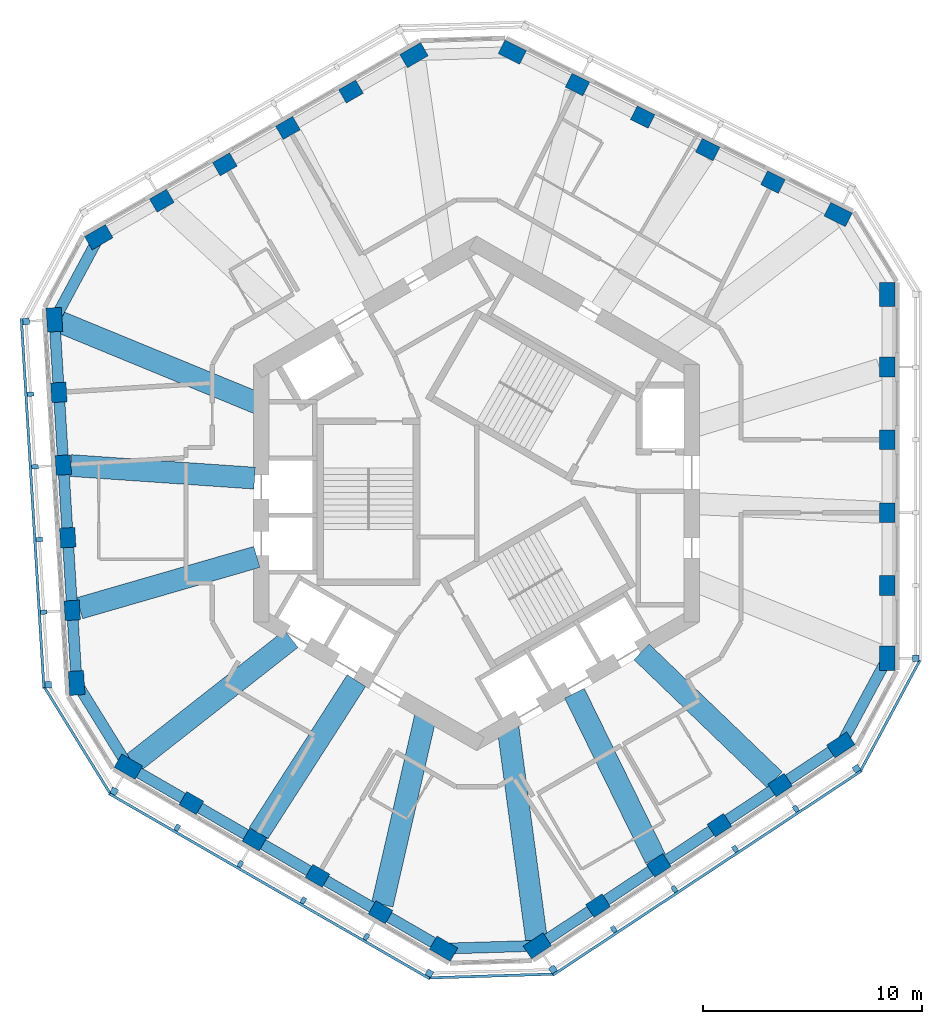
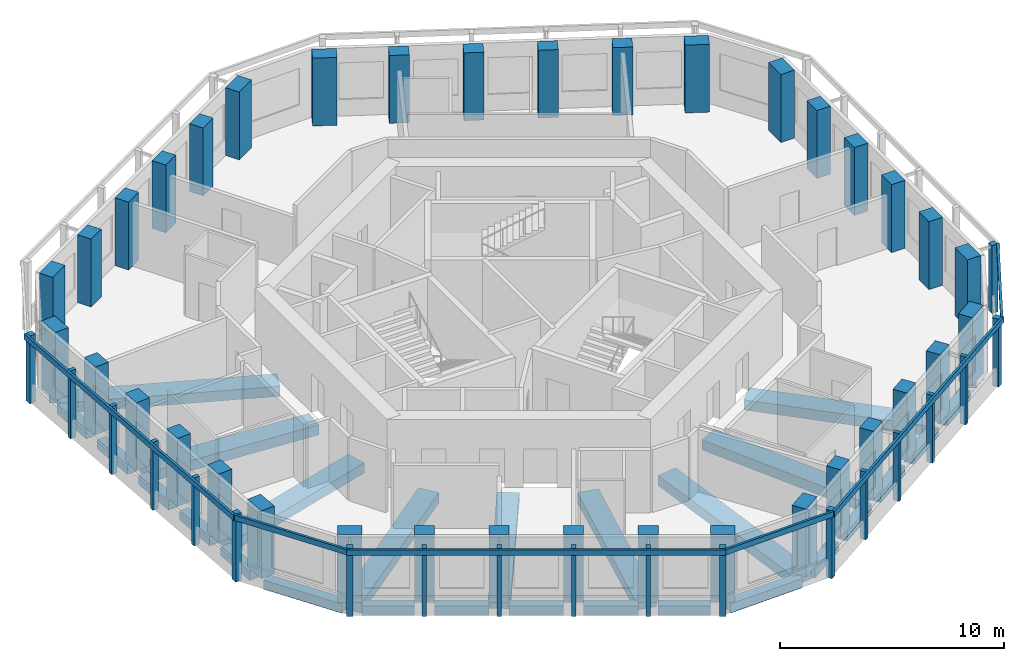
# One storey, part 1 of 10: 36 columns, 28 beams, 25 members, 7 elements without a shape of their own.
"""IFC4 building model written with IfcOpenShell, lengths in metres."""

from ifc_helpers import new_model, si_unit, direction, frame, origin, origin_2d, place, context, subcontext, project, spatial, rectangle, extrude, material, material_profile, profile_set, type_object, element, aggregate, save


model = new_model("IFC4")

# Units and contexts
model_context = context("Model", 3, precision=1e-05, world=origin(), true_north=direction((0.0, 1.0)))
body_context = subcontext(model_context, "Body", "Model", "MODEL_VIEW")
ifc_project = project(units=[si_unit("LENGTHUNIT", "METRE"), si_unit("AREAUNIT", "SQUARE_METRE"), si_unit("VOLUMEUNIT", "CUBIC_METRE"), si_unit("PLANEANGLEUNIT", "RADIAN"), si_unit("MASSUNIT", "GRAM", prefix="KILO")], contexts=[model_context])

# Site, building, storey
site_placement = place(None, origin())
site = spatial("IfcSite", under=ifc_project, at=site_placement, CompositionType="ELEMENT")
building_placement = place(site_placement, origin())
building = spatial("IfcBuilding", under=site, at=building_placement, Name="Vanh Sen Convention Tower", CompositionType="ELEMENT")
storey_placement = place(building_placement, frame((0.0, 0.0, 263.5)))
storey = spatial("IfcBuildingStorey", under=building, at=storey_placement, Name="L65", CompositionType="ELEMENT", Elevation=263.5)

# Columns
ifc_material_1 = material(Name="Concrete C60/75", Category="concrete")
ifc_material_profile_1 = material_profile(ifc_material_1, rectangle(XDim=0.89990234375, YDim=0.699951171875, at=origin_2d()), Name="RC 900X700")
ifc_profile_set_1 = profile_set([ifc_material_profile_1], Name="Concrete C60/75")
column_type_1 = type_object("IfcColumnType", Name="Facade column 900 x 700 C60/75", PredefinedType="COLUMN", material=ifc_profile_set_1)
for number, where, z_axis, x_axis, name in (
    (1, (18.800048828125, -4.215087890625, 0.0), (0.0, 0.0, 1.0), (0.0, 1.0, 0.0), "Facade column 02 L65"),
    (2, (18.800048828125, -0.88330078125, 0.0), (0.0, 0.0, 1.0), (0.0, 1.0, 0.0), "Facade column 03 L65"),
    (3, (18.800048828125, 2.4482421875, 0.0), (0.0, 0.0, 1.0), (0.0, 1.0, 0.0), "Facade column 04 L65"),
    (4, (18.800048828125, 5.77978515625, 0.0), (0.0, 0.0, 1.0), (0.0, 1.0, 0.0), "Facade column 05 L65"),
    (5, (13.56103515625, 14.245849609375, 0.0), (0.0, 0.0, 1.0), (-0.894934361602, 0.44619781311, 0.0), "Facade column 08 L65"),
    (6, (10.57958984375, 15.732421875, 0.0), (0.0, 0.0, 1.0), (-0.894934361602, 0.44619781311, 0.0), "Facade column 09 L65"),
    (7, (7.597900390625, 17.218994140625, 0.0), (0.0, 0.0, 1.0), (-0.894934361602, 0.44619781311, 0.0), "Facade column 10 L65"),
    (8, (4.6162109375, 18.70556640625, 0.0), (0.0, 0.0, 1.0), (-0.894934361602, 0.44619781311, 0.0), "Facade column 11 L65"),
    (9, (-5.74951171875, 18.388916015625, 0.0), (0.0, 0.0, 1.0), (-0.866025403784, -0.5, 0.0), "Facade column 14 L65"),
    (10, (-8.635009765625, 16.722900390625, 0.0), (0.0, 0.0, 1.0), (-0.866025403784, -0.5, 0.0), "Facade column 15 L65"),
    (11, (-11.520263671875, 15.05712890625, 0.0), (0.0, 0.0, 1.0), (-0.866025403784, -0.5, 0.0), "Facade column 16 L65"),
    (12, (-14.405517578125, 13.391357421875, 0.0), (0.0, 0.0, 1.0), (-0.866025403784, -0.5, 0.0), "Facade column 17 L65"),
    (13, (-19.117919921875, 4.621337890625, 0.0), (0.0, 0.0, 1.0), (0.061048539535, -0.998134798422, 0.0), "Facade column 20 L65"),
    (14, (-18.914306640625, 1.2958984375, 0.0), (0.0, 0.0, 1.0), (0.061048539535, -0.998134798422, 0.0), "Facade column 21 L65"),
    (15, (-18.7109375, -2.029541015625, 0.0), (0.0, 0.0, 1.0), (0.061048539535, -0.998134798422, 0.0), "Facade column 22 L65"),
    (16, (-18.507568359375, -5.35498046875, 0.0), (0.0, 0.0, 1.0), (0.061048539535, -0.998134798422, 0.0), "Facade column 23 L65"),
    (17, (-13.05029296875, -14.173583984375, 0.0), (0.0, 0.0, 1.0), (0.866025403784, -0.5, 0.0), "Facade column 26 L65"),
    (18, (-10.1650390625, -15.839599609375, 0.0), (0.0, 0.0, 1.0), (0.866025403784, -0.5, 0.0), "Facade column 27 L65"),
    (19, (-7.27978515625, -17.50537109375, 0.0), (0.0, 0.0, 1.0), (0.866025403784, -0.5, 0.0), "Facade column 28 L65"),
    (20, (-4.39453125, -19.171142578125, 0.0), (0.0, 0.0, 1.0), (0.866025403784, -0.5, 0.0), "Facade column 29 L65"),
    (21, (5.556640625, -18.8671875, 0.0), (0.0, 0.0, 1.0), (0.833885822067, 0.551936985312, 0.0), "Facade column 32 L65"),
    (22, (8.3349609375, -17.0283203125, 0.0), (0.0, 0.0, 1.0), (0.833885822067, 0.551936985312, 0.0), "Facade column 33 L65"),
    (23, (11.113037109375, -15.189453125, 0.0), (0.0, 0.0, 1.0), (0.833885822067, 0.551936985312, 0.0), "Facade column 34 L65"),
    (24, (13.891357421875, -13.3505859375, 0.0), (0.0, 0.0, 1.0), (0.833885822067, 0.551936985312, 0.0), "Facade column 35 L65"),
):
    element("IfcColumn", number, at=place(storey_placement, frame(where, z_axis=z_axis, x_axis=x_axis)), inside=storey, type_object=column_type_1, Name=name, PredefinedType="COLUMN", context=body_context, shape_type="SweptSolid", body=[
        extrude(rectangle(XDim=0.89990234375, YDim=0.699951171875, at=origin_2d()), origin(), (0.0, 0.0, 1.0), 3.699951171875),
    ])
ifc_material_profile_2 = material_profile(ifc_material_1, rectangle(XDim=1.10009765625, YDim=0.699951171875, at=origin_2d()), Name="RC 1100X700")
ifc_profile_set_2 = profile_set([ifc_material_profile_2], Name="Concrete C60/75")
column_type_2 = type_object("IfcColumnType", Name="Facade corner column 1100 x 700 C60/75", PredefinedType="COLUMN", material=ifc_profile_set_2)
for number, where, z_axis, x_axis, name in (
    (25, (18.800048828125, -7.546630859375, 0.0), (0.0, 0.0, 1.0), (0.0, 1.0, 0.0), "Facade column 01 L65"),
    (26, (18.800048828125, 9.111572265625, 0.0), (0.0, 0.0, 1.0), (0.0, 1.0, 0.0), "Facade column 06 L65"),
    (27, (16.542724609375, 12.75927734375, 0.0), (0.0, 0.0, 1.0), (-0.894934361602, 0.44619781311, 0.0), "Facade column 07 L65"),
    (28, (1.634765625, 20.192138671875, 0.0), (0.0, 0.0, 1.0), (-0.894934361602, 0.44619781311, 0.0), "Facade column 12 L65"),
    (29, (-2.8642578125, 20.0546875, 0.0), (0.0, 0.0, 1.0), (-0.866025403784, -0.5, 0.0), "Facade column 13 L65"),
    (30, (-17.290771484375, 11.7255859375, 0.0), (0.0, 0.0, 1.0), (-0.866025403784, -0.5, 0.0), "Facade column 18 L65"),
    (31, (-19.3212890625, 7.94677734375, 0.0), (0.0, 0.0, 1.0), (0.061048539535, -0.998134798422, 0.0), "Facade column 19 L65"),
    (32, (-18.30419921875, -8.680419921875, 0.0), (0.0, 0.0, 1.0), (0.061048539535, -0.998134798422, 0.0), "Facade column 24 L65"),
    (33, (-15.935791015625, -12.5078125, 0.0), (0.0, 0.0, 1.0), (0.866025403784, -0.5, 0.0), "Facade column 25 L65"),
    (34, (-1.50927734375, -20.8369140625, 0.0), (0.0, 0.0, 1.0), (0.866025403784, -0.5, 0.0), "Facade column 30 L65"),
    (35, (2.7783203125, -20.7060546875, 0.0), (0.0, 0.0, 1.0), (0.833885822067, 0.551936985312, 0.0), "Facade column 31 L65"),
    (36, (16.66943359375, -11.51171875, 0.0), (0.0, 0.0, 1.0), (0.833885822067, 0.551936985312, 0.0), "Facade column 36 L65"),
):
    element("IfcColumn", number, at=place(storey_placement, frame(where, z_axis=z_axis, x_axis=x_axis)), inside=storey, type_object=column_type_2, Name=name, PredefinedType="COLUMN", context=body_context, shape_type="SweptSolid", body=[
        extrude(rectangle(XDim=1.10009765625, YDim=0.699951171875, at=origin_2d()), origin(), (0.0, 0.0, 1.0), 3.699951171875),
    ])

# Curtain wall, member
ifc_material_2 = material(Name="Concrete C50/60", Category="concrete")
curtain_wall_type = type_object("IfcCurtainWallType", Name="Outer skin office zone", PredefinedType="NOTDEFINED", material=ifc_material_2)
curtain_wall_1_placement = place(storey_placement, origin())
curtain_wall_1 = element("IfcCurtainWall", 37, at=curtain_wall_1_placement, inside=storey, type_object=curtain_wall_type, Name="OUTER SKIN E L65", PredefinedType="NOTDEFINED")
ifc_material_profile_3 = material_profile(ifc_material_2, rectangle(XDim=0.300048828125, YDim=0.300048828125, at=origin_2d()), Name="Outer skin precast corner fin 300 x 300")
ifc_profile_set_3 = profile_set([ifc_material_profile_3], Name="Concrete C50/60")
member_type_1 = type_object("IfcMemberType", Name="Outer skin precast corner fin 300 x 300", PredefinedType="MULLION", material=ifc_profile_set_3)
member_1_placement = place(storey_placement, frame((20.10009765625, -7.546630859375, 0.0), z_axis=(0.0, 0.0, 1.0), x_axis=(0.0, 1.0, 0.0)))
member_1 = element("IfcMember", 38, at=member_1_placement, type_object=member_type_1, Name="OUTER SKIN CORNER FIN 1 E L65", PredefinedType="MULLION", context=body_context, shape_type="SweptSolid", body=[
    extrude(rectangle(XDim=0.300048828125, YDim=0.300048828125, at=origin_2d()), origin(), (0.0, 0.0, 1.0), 3.699951171875),
])
aggregate(curtain_wall_1, [member_1])

# Curtain wall, members
curtain_wall_2_placement = place(storey_placement, origin())
curtain_wall_2 = element("IfcCurtainWall", 39, at=curtain_wall_2_placement, inside=storey, type_object=curtain_wall_type, Name="OUTER SKIN W L65", PredefinedType="NOTDEFINED")
member_2_placement = place(storey_placement, frame((-20.618896484375, 7.867431640625, 0.0), z_axis=(0.0, 0.0, 1.0), x_axis=(0.061048539535, -0.998134798422, 0.0)))
member_2 = element("IfcMember", 40, at=member_2_placement, type_object=member_type_1, Name="OUTER SKIN CORNER FIN 1 W L65", PredefinedType="MULLION", context=body_context, shape_type="SweptSolid", body=[
    extrude(rectangle(XDim=0.300048828125, YDim=0.300048828125, at=origin_2d()), origin(), (0.0, 0.0, 1.0), 3.699951171875),
])
member_3_placement = place(storey_placement, frame((-19.601806640625, -8.759765625, 0.0), z_axis=(0.0, 0.0, 1.0), x_axis=(0.061048539535, -0.998134798422, 0.0)))
member_3 = element("IfcMember", 41, at=member_3_placement, type_object=member_type_1, Name="OUTER SKIN CORNER FIN 6 W L65", PredefinedType="MULLION", context=body_context, shape_type="SweptSolid", body=[
    extrude(rectangle(XDim=0.300048828125, YDim=0.300048828125, at=origin_2d()), origin(), (0.0, 0.0, 1.0), 3.699951171875),
])

curtain_wall_3_placement = place(storey_placement, origin())
curtain_wall_3 = element("IfcCurtainWall", 42, at=curtain_wall_3_placement, inside=storey, type_object=curtain_wall_type, Name="OUTER SKIN SW L65", PredefinedType="NOTDEFINED")
member_4_placement = place(storey_placement, frame((-16.585693359375, -13.6337890625, 0.0), z_axis=(0.0, 0.0, 1.0), x_axis=(0.866025403784, -0.5, 0.0)))
member_4 = element("IfcMember", 43, at=member_4_placement, type_object=member_type_1, Name="OUTER SKIN CORNER FIN 1 SW L65", PredefinedType="MULLION", context=body_context, shape_type="SweptSolid", body=[
    extrude(rectangle(XDim=0.300048828125, YDim=0.300048828125, at=origin_2d()), origin(), (0.0, 0.0, 1.0), 3.699951171875),
])
member_5_placement = place(storey_placement, frame((-2.1591796875, -21.962890625, 0.0), z_axis=(0.0, 0.0, 1.0), x_axis=(0.866025403784, -0.5, 0.0)))
member_5 = element("IfcMember", 44, at=member_5_placement, type_object=member_type_1, Name="OUTER SKIN CORNER FIN 6 SW L65", PredefinedType="MULLION", context=body_context, shape_type="SweptSolid", body=[
    extrude(rectangle(XDim=0.300048828125, YDim=0.300048828125, at=origin_2d()), origin(), (0.0, 0.0, 1.0), 3.699951171875),
])

curtain_wall_4_placement = place(storey_placement, origin())
curtain_wall_4 = element("IfcCurtainWall", 45, at=curtain_wall_4_placement, inside=storey, type_object=curtain_wall_type, Name="OUTER SKIN SE L65", PredefinedType="NOTDEFINED")
member_6_placement = place(storey_placement, frame((3.495849609375, -21.7900390625, 0.0), z_axis=(0.0, 0.0, 1.0), x_axis=(0.833885822067, 0.551936985312, 0.0)))
member_6 = element("IfcMember", 46, at=member_6_placement, type_object=member_type_1, Name="OUTER SKIN CORNER FIN 1 SE L65", PredefinedType="MULLION", context=body_context, shape_type="SweptSolid", body=[
    extrude(rectangle(XDim=0.300048828125, YDim=0.300048828125, at=origin_2d()), origin(), (0.0, 0.0, 1.0), 3.699951171875),
])
member_7_placement = place(storey_placement, frame((17.386962890625, -12.595703125, 0.0), z_axis=(0.0, 0.0, 1.0), x_axis=(0.833885822067, 0.551936985312, 0.0)))
member_7 = element("IfcMember", 47, at=member_7_placement, type_object=member_type_1, Name="OUTER SKIN CORNER FIN 6 SE L65", PredefinedType="MULLION", context=body_context, shape_type="SweptSolid", body=[
    extrude(rectangle(XDim=0.300048828125, YDim=0.300048828125, at=origin_2d()), origin(), (0.0, 0.0, 1.0), 3.699951171875),
])

# Member
ifc_material_profile_4 = material_profile(ifc_material_2, rectangle(XDim=0.199951171875, YDim=0.300048828125, at=origin_2d()), Name="Outer skin precast fin 200 x 300")
ifc_profile_set_4 = profile_set([ifc_material_profile_4], Name="Concrete C50/60")
member_type_2 = type_object("IfcMemberType", Name="Outer skin precast fin 200 x 300", PredefinedType="MULLION", material=ifc_profile_set_4)
member_8_placement = place(storey_placement, frame((-20.415283203125, 4.5419921875, 0.0), z_axis=(0.0, 0.0, 1.0), x_axis=(0.061048539535, -0.998134798422, 0.0)))
member_8 = element("IfcMember", 48, at=member_8_placement, type_object=member_type_2, Name="OUTER SKIN fin 2 W L65", PredefinedType="MULLION", context=body_context, shape_type="SweptSolid", body=[
    extrude(rectangle(XDim=0.199951171875, YDim=0.300048828125, at=origin_2d()), origin(), (0.0, 0.0, 1.0), 3.699951171875),
])

member_9_placement = place(storey_placement, frame((-20.2119140625, 1.216552734375, 0.0), z_axis=(0.0, 0.0, 1.0), x_axis=(0.061048539535, -0.998134798422, 0.0)))
member_9 = element("IfcMember", 49, at=member_9_placement, type_object=member_type_2, Name="OUTER SKIN fin 3 W L65", PredefinedType="MULLION", context=body_context, shape_type="SweptSolid", body=[
    extrude(rectangle(XDim=0.199951171875, YDim=0.300048828125, at=origin_2d()), origin(), (0.0, 0.0, 1.0), 3.699951171875),
])

member_10_placement = place(storey_placement, frame((-20.008544921875, -2.10888671875, 0.0), z_axis=(0.0, 0.0, 1.0), x_axis=(0.061048539535, -0.998134798422, 0.0)))
member_10 = element("IfcMember", 50, at=member_10_placement, type_object=member_type_2, Name="OUTER SKIN fin 4 W L65", PredefinedType="MULLION", context=body_context, shape_type="SweptSolid", body=[
    extrude(rectangle(XDim=0.199951171875, YDim=0.300048828125, at=origin_2d()), origin(), (0.0, 0.0, 1.0), 3.699951171875),
])

member_11_placement = place(storey_placement, frame((-19.80517578125, -5.434326171875, 0.0), z_axis=(0.0, 0.0, 1.0), x_axis=(0.061048539535, -0.998134798422, 0.0)))
member_11 = element("IfcMember", 51, at=member_11_placement, type_object=member_type_2, Name="OUTER SKIN fin 5 W L65", PredefinedType="MULLION", context=body_context, shape_type="SweptSolid", body=[
    extrude(rectangle(XDim=0.199951171875, YDim=0.300048828125, at=origin_2d()), origin(), (0.0, 0.0, 1.0), 3.699951171875),
])

member_12_placement = place(storey_placement, frame((-13.700439453125, -15.299560546875, 0.0), z_axis=(0.0, 0.0, 1.0), x_axis=(0.866025403784, -0.5, 0.0)))
member_12 = element("IfcMember", 52, at=member_12_placement, type_object=member_type_2, Name="OUTER SKIN fin 2 SW L65", PredefinedType="MULLION", context=body_context, shape_type="SweptSolid", body=[
    extrude(rectangle(XDim=0.199951171875, YDim=0.300048828125, at=origin_2d()), origin(), (0.0, 0.0, 1.0), 3.699951171875),
])

member_13_placement = place(storey_placement, frame((-10.815185546875, -16.96533203125, 0.0), z_axis=(0.0, 0.0, 1.0), x_axis=(0.866025403784, -0.5, 0.0)))
member_13 = element("IfcMember", 53, at=member_13_placement, type_object=member_type_2, Name="OUTER SKIN fin 3 SW L65", PredefinedType="MULLION", context=body_context, shape_type="SweptSolid", body=[
    extrude(rectangle(XDim=0.199951171875, YDim=0.300048828125, at=origin_2d()), origin(), (0.0, 0.0, 1.0), 3.699951171875),
])

member_14_placement = place(storey_placement, frame((-7.9296875, -18.631103515625, 0.0), z_axis=(0.0, 0.0, 1.0), x_axis=(0.866025403784, -0.5, 0.0)))
member_14 = element("IfcMember", 54, at=member_14_placement, type_object=member_type_2, Name="OUTER SKIN fin 4 SW L65", PredefinedType="MULLION", context=body_context, shape_type="SweptSolid", body=[
    extrude(rectangle(XDim=0.199951171875, YDim=0.300048828125, at=origin_2d()), origin(), (0.0, 0.0, 1.0), 3.699951171875),
])

member_15_placement = place(storey_placement, frame((-5.04443359375, -20.297119140625, 0.0), z_axis=(0.0, 0.0, 1.0), x_axis=(0.866025403784, -0.5, 0.0)))
member_15 = element("IfcMember", 55, at=member_15_placement, type_object=member_type_2, Name="OUTER SKIN fin 5 SW L65", PredefinedType="MULLION", context=body_context, shape_type="SweptSolid", body=[
    extrude(rectangle(XDim=0.199951171875, YDim=0.300048828125, at=origin_2d()), origin(), (0.0, 0.0, 1.0), 3.699951171875),
])

member_16_placement = place(storey_placement, frame((6.274169921875, -19.951416015625, 0.0), z_axis=(0.0, 0.0, 1.0), x_axis=(0.833885822067, 0.551936985312, 0.0)))
member_16 = element("IfcMember", 56, at=member_16_placement, type_object=member_type_2, Name="OUTER SKIN fin 2 SE L65", PredefinedType="MULLION", context=body_context, shape_type="SweptSolid", body=[
    extrude(rectangle(XDim=0.199951171875, YDim=0.300048828125, at=origin_2d()), origin(), (0.0, 0.0, 1.0), 3.699951171875),
])

member_17_placement = place(storey_placement, frame((9.052490234375, -18.1123046875, 0.0), z_axis=(0.0, 0.0, 1.0), x_axis=(0.833885822067, 0.551936985312, 0.0)))
member_17 = element("IfcMember", 57, at=member_17_placement, type_object=member_type_2, Name="OUTER SKIN fin 3 SE L65", PredefinedType="MULLION", context=body_context, shape_type="SweptSolid", body=[
    extrude(rectangle(XDim=0.199951171875, YDim=0.300048828125, at=origin_2d()), origin(), (0.0, 0.0, 1.0), 3.699951171875),
])

member_18_placement = place(storey_placement, frame((11.83056640625, -16.273681640625, 0.0), z_axis=(0.0, 0.0, 1.0), x_axis=(0.833885822067, 0.551936985312, 0.0)))
member_18 = element("IfcMember", 58, at=member_18_placement, type_object=member_type_2, Name="OUTER SKIN fin 4 SE L65", PredefinedType="MULLION", context=body_context, shape_type="SweptSolid", body=[
    extrude(rectangle(XDim=0.199951171875, YDim=0.300048828125, at=origin_2d()), origin(), (0.0, 0.0, 1.0), 3.699951171875),
])

member_19_placement = place(storey_placement, frame((14.60888671875, -14.434814453125, 0.0), z_axis=(0.0, 0.0, 1.0), x_axis=(0.833885822067, 0.551936985312, 0.0)))
member_19 = element("IfcMember", 59, at=member_19_placement, type_object=member_type_2, Name="OUTER SKIN fin 5 SE L65", PredefinedType="MULLION", context=body_context, shape_type="SweptSolid", body=[
    extrude(rectangle(XDim=0.199951171875, YDim=0.300048828125, at=origin_2d()), origin(), (0.0, 0.0, 1.0), 3.699951171875),
])

ifc_material_profile_5 = material_profile(ifc_material_2, rectangle(XDim=0.1201171875, YDim=0.300048828125, at=origin_2d()), Name="Outer skin precast spandrel band 300 x 120")
ifc_profile_set_5 = profile_set([ifc_material_profile_5], Name="Concrete C50/60")
member_type_3 = type_object("IfcMemberType", Name="Outer skin precast spandrel band 300 x 120", PredefinedType="USERDEFINED", material=ifc_profile_set_5)
member_20_placement = place(storey_placement, frame((-20.83740234375, 8.00439453125, 3.550048828125), z_axis=(0.061040984027, -0.998135260508, 0.0), x_axis=(0.998135260508, 0.061040984027, 0.0)))
member_20 = element("IfcMember", 60, at=member_20_placement, type_object=member_type_3, Name="OUTER SKIN spandrel band W L65", ObjectType="TRANSOM", PredefinedType="USERDEFINED", context=body_context, shape_type="SweptSolid", body=[
    extrude(rectangle(XDim=0.1201171875, YDim=0.300048828125, at=origin_2d()), origin(), (0.0, 0.0, 1.0), 16.95849609375),
])

aggregate(curtain_wall_2, [member_2, member_8, member_9, member_10, member_11, member_3, member_20])

# Curtain wall, member
curtain_wall_5_placement = place(storey_placement, origin())
curtain_wall_5 = element("IfcCurtainWall", 61, at=curtain_wall_5_placement, inside=storey, type_object=curtain_wall_type, Name="OUTER SKIN CH4 L65", PredefinedType="NOTDEFINED")
member_21_placement = place(storey_placement, frame((-19.7802734375, -8.870361328125, 3.550048828125), z_axis=(0.526199162152, -0.850361359512, 0.0), x_axis=(0.850361359512, 0.526199162152, 0.0)))
member_21 = element("IfcMember", 62, at=member_21_placement, type_object=member_type_3, Name="OUTER SKIN spandrel band CH4 L65", ObjectType="TRANSOM", PredefinedType="USERDEFINED", context=body_context, shape_type="SweptSolid", body=[
    extrude(rectangle(XDim=0.1201171875, YDim=0.300048828125, at=origin_2d()), origin(), (0.0, 0.0, 1.0), 5.7314453125),
])
aggregate(curtain_wall_5, [member_21])

# Member
member_22_placement = place(storey_placement, frame((-16.820556640625, -13.740478515625, 3.550048828125), z_axis=(0.866022320763, -0.500005339912, 0.0), x_axis=(0.500005339912, 0.866022320763, 0.0)))
member_22 = element("IfcMember", 63, at=member_22_placement, type_object=member_type_3, Name="OUTER SKIN spandrel band SW L65", ObjectType="TRANSOM", PredefinedType="USERDEFINED", context=body_context, shape_type="SweptSolid", body=[
    extrude(rectangle(XDim=0.1201171875, YDim=0.300048828125, at=origin_2d()), origin(), (0.0, 0.0, 1.0), 16.958251953125),
])

aggregate(curtain_wall_3, [member_4, member_12, member_13, member_14, member_15, member_5, member_22])

# Curtain wall, member
curtain_wall_6_placement = place(storey_placement, origin())
curtain_wall_6 = element("IfcCurtainWall", 64, at=curtain_wall_6_placement, inside=storey, type_object=curtain_wall_type, Name="OUTER SKIN CH5 L65", PredefinedType="NOTDEFINED")
member_23_placement = place(storey_placement, frame((-2.15283203125, -22.172607421875, 3.550048828125), z_axis=(0.999534504066, 0.030508608314, 0.0), x_axis=(-0.030508608314, 0.999534504066, 0.0)))
member_23 = element("IfcMember", 65, at=member_23_placement, type_object=member_type_3, Name="OUTER SKIN spandrel band CH5 L65", ObjectType="TRANSOM", PredefinedType="USERDEFINED", context=body_context, shape_type="SweptSolid", body=[
    extrude(rectangle(XDim=0.1201171875, YDim=0.300048828125, at=origin_2d()), origin(), (0.0, 0.0, 1.0), 5.65771484375),
])
aggregate(curtain_wall_6, [member_23])

# Member
member_24_placement = place(storey_placement, frame((3.48681640625, -22.048095703125, 3.550048828125), z_axis=(0.833877443168, 0.551949644239, 0.0), x_axis=(-0.551949644239, 0.833877443168, 0.0)))
member_24 = element("IfcMember", 66, at=member_24_placement, type_object=member_type_3, Name="OUTER SKIN spandrel band SE L65", ObjectType="TRANSOM", PredefinedType="USERDEFINED", context=body_context, shape_type="SweptSolid", body=[
    extrude(rectangle(XDim=0.1201171875, YDim=0.300048828125, at=origin_2d()), origin(), (0.0, 0.0, 1.0), 16.958251953125),
])

aggregate(curtain_wall_4, [member_6, member_16, member_17, member_18, member_19, member_7, member_24])

# Curtain wall, member
curtain_wall_7_placement = place(storey_placement, origin())
curtain_wall_7 = element("IfcCurtainWall", 67, at=curtain_wall_7_placement, inside=storey, type_object=curtain_wall_type, Name="OUTER SKIN CH6 L65", PredefinedType="NOTDEFINED")
member_25_placement = place(storey_placement, frame((17.572021484375, -12.695068359375, 3.550048828125), z_axis=(0.473309680768, 0.880896104028, 0.0), x_axis=(-0.880896104028, 0.473309680768, 0.0)))
member_25 = element("IfcMember", 68, at=member_25_placement, type_object=member_type_3, Name="OUTER SKIN spandrel band CH6 L65", ObjectType="TRANSOM", PredefinedType="USERDEFINED", context=body_context, shape_type="SweptSolid", body=[
    extrude(rectangle(XDim=0.1201171875, YDim=0.300048828125, at=origin_2d()), origin(), (0.0, 0.0, 1.0), 5.731689453125),
])
aggregate(curtain_wall_7, [member_25])

# Beams
ifc_material_3 = material(Name="Concrete C50/60", Category="concrete")
ifc_material_profile_6 = material_profile(ifc_material_3, rectangle(XDim=1.0, YDim=0.550048828125, at=origin_2d()), Name="RC 1000X550")
ifc_profile_set_6 = profile_set([ifc_material_profile_6], Name="Concrete C50/60")
beam_type_1 = type_object("IfcBeamType", Name="Radial floor beam 1000 x 550", PredefinedType="BEAM", material=ifc_profile_set_6)
beam_1_placement = place(storey_placement, frame((-19.190185546875, 7.892822265625, -0.554931640625), z_axis=(0.924828718845, -0.380383807225, 0.0), x_axis=(0.380383807225, 0.924828718845, 0.0)))
element("IfcBeam", 69, at=beam_1_placement, inside=storey, type_object=beam_type_1, Name="Radial beam 10 L65", PredefinedType="BEAM", context=body_context, shape_type="SweptSolid", body=[
    extrude(rectangle(XDim=1.0, YDim=0.550048828125, at=origin_2d()), origin(), (0.0, 0.0, 1.0), 9.931640625),
])
beam_2_placement = place(storey_placement, frame((-18.5673828125, 1.272216796875, -0.554931640625), z_axis=(0.997661428588, -0.068349644528, 0.0), x_axis=(0.068349644528, 0.997661428588, 0.0)))
element("IfcBeam", 70, at=beam_2_placement, inside=storey, type_object=beam_type_1, Name="Radial beam 11 L65", PredefinedType="BEAM", context=body_context, shape_type="SweptSolid", body=[
    extrude(rectangle(XDim=1.0, YDim=0.550048828125, at=origin_2d()), origin(), (0.0, 0.0, 1.0), 8.42626953125),
])
beam_3_placement = place(storey_placement, frame((-18.167724609375, -5.256591796875, -0.554931640625), z_axis=(0.96060103798, 0.277931009123, 0.0), x_axis=(-0.277931009123, 0.96060103798, 0.0)))
element("IfcBeam", 71, at=beam_3_placement, inside=storey, type_object=beam_type_1, Name="Radial beam 12 L65", PredefinedType="BEAM", context=body_context, shape_type="SweptSolid", body=[
    extrude(rectangle(XDim=1.0, YDim=0.550048828125, at=origin_2d()), origin(), (0.0, 0.0, 1.0), 8.4443359375),
])
beam_4_placement = place(storey_placement, frame((-15.80078125, -12.402099609375, -0.554931640625), z_axis=(0.786625185618, 0.617430819891, 0.0), x_axis=(-0.617430819891, 0.786625185618, 0.0)))
element("IfcBeam", 72, at=beam_4_placement, inside=storey, type_object=beam_type_1, Name="Radial beam 13 L65", PredefinedType="BEAM", context=body_context, shape_type="SweptSolid", body=[
    extrude(rectangle(XDim=1.0, YDim=0.550048828125, at=origin_2d()), origin(), (0.0, 0.0, 1.0), 9.30126953125),
])
beam_5_placement = place(storey_placement, frame((-9.978515625, -15.548828125, -0.554931640625), z_axis=(0.540096753763, 0.841602932846, 0.0), x_axis=(-0.841602932846, 0.540096753763, 0.0)))
element("IfcBeam", 73, at=beam_5_placement, inside=storey, type_object=beam_type_1, Name="Radial beam 14 L65", PredefinedType="BEAM", context=body_context, shape_type="SweptSolid", body=[
    extrude(rectangle(XDim=1.0, YDim=0.550048828125, at=origin_2d()), origin(), (0.0, 0.0, 1.0), 8.29248046875),
])
beam_6_placement = place(storey_placement, frame((-4.313720703125, -18.819091796875, -0.554931640625), z_axis=(0.22340967383, 0.974724636828, 0.0), x_axis=(-0.974724636828, 0.22340967383, 0.0)))
element("IfcBeam", 74, at=beam_6_placement, inside=storey, type_object=beam_type_1, Name="Radial beam 15 L65", PredefinedType="BEAM", context=body_context, shape_type="SweptSolid", body=[
    extrude(rectangle(XDim=1.0, YDim=0.550048828125, at=origin_2d()), origin(), (0.0, 0.0, 1.0), 8.794921875),
])
beam_7_placement = place(storey_placement, frame((2.759521484375, -20.565673828125, -0.554931640625), z_axis=(-0.132991320609, 0.991117202274, 0.0), x_axis=(-0.991117202274, -0.132991320609, 0.0)))
element("IfcBeam", 75, at=beam_7_placement, inside=storey, type_object=beam_type_1, Name="Radial beam 16 L65", PredefinedType="BEAM", context=body_context, shape_type="SweptSolid", body=[
    extrude(rectangle(XDim=1.0, YDim=0.550048828125, at=origin_2d()), origin(), (0.0, 0.0, 1.0), 9.931396484375),
])
beam_8_placement = place(storey_placement, frame((8.181884765625, -16.7158203125, -0.554931640625), z_axis=(-0.43962945739, 0.898179236119, 0.0), x_axis=(-0.898179236119, -0.43962945739, 0.0)))
element("IfcBeam", 76, at=beam_8_placement, inside=storey, type_object=beam_type_1, Name="Radial beam 17 L65", PredefinedType="BEAM", context=body_context, shape_type="SweptSolid", body=[
    extrude(rectangle(XDim=1.0, YDim=0.550048828125, at=origin_2d()), origin(), (0.0, 0.0, 1.0), 8.426025390625),
])
beam_9_placement = place(storey_placement, frame((13.63623046875, -13.10546875, -0.554931640625), z_axis=(-0.721004158524, 0.692930734916, 0.0), x_axis=(-0.692930734916, -0.721004158524, 0.0)))
element("IfcBeam", 77, at=beam_9_placement, inside=storey, type_object=beam_type_1, Name="Radial beam 18 L65", PredefinedType="BEAM", context=body_context, shape_type="SweptSolid", body=[
    extrude(rectangle(XDim=1.0, YDim=0.550048828125, at=origin_2d()), origin(), (0.0, 0.0, 1.0), 8.4443359375),
])
ifc_material_profile_7 = material_profile(ifc_material_3, rectangle(XDim=0.5, YDim=0.5, at=origin_2d()), Name="RC 500X500")
ifc_profile_set_7 = profile_set([ifc_material_profile_7], Name="Concrete C50/60")
beam_type_2 = type_object("IfcBeamType", Name="Spandrel beam 500 x 500", PredefinedType="SPANDREL", material=ifc_profile_set_7)
beam_10_placement = place(storey_placement, frame((-17.412109375, 11.5, -0.530029296875), z_axis=(-0.473286407819, -0.880908608298, 0.0), x_axis=(0.880908608298, -0.473286407819, 0.0)))
element("IfcBeam", 78, at=beam_10_placement, inside=storey, type_object=beam_type_2, Name="Spandrel beam 18 L65", PredefinedType="SPANDREL", context=body_context, shape_type="SweptSolid", body=[
    extrude(rectangle(XDim=0.5, YDim=0.5, at=origin_2d()), origin(), (0.0, 0.0, 1.0), 3.777587890625),
])
beam_11_placement = place(storey_placement, frame((-19.287841796875, 7.40283203125, -0.530029296875), z_axis=(0.060989239379, -0.998138423607, 0.0), x_axis=(0.998138423607, 0.060989239379, 0.0)))
element("IfcBeam", 79, at=beam_11_placement, inside=storey, type_object=beam_type_2, Name="Spandrel beam 19 L65", PredefinedType="SPANDREL", context=body_context, shape_type="SweptSolid", body=[
    extrude(rectangle(XDim=0.5, YDim=0.5, at=origin_2d()), origin(), (0.0, 0.0, 1.0), 2.341796875),
])
for number, where, z_axis, x_axis, name in (
    (80, (-19.090576171875, 4.17724609375, -0.530029296875), (0.060990123754, -0.998138369568, 0.0), (0.998138369568, 0.060990123754, 0.0), "Spandrel beam 20 L65"),
    (81, (-18.88720703125, 0.851806640625, -0.530029296875), (0.060990123754, -0.998138369568, 0.0), (0.998138369568, 0.060990123754, 0.0), "Spandrel beam 21 L65"),
    (82, (-18.683837890625, -2.4736328125, -0.530029296875), (0.060990123754, -0.998138369568, 0.0), (0.998138369568, 0.060990123754, 0.0), "Spandrel beam 22 L65"),
):
    element("IfcBeam", number, at=place(storey_placement, frame(where, z_axis=z_axis, x_axis=x_axis)), inside=storey, type_object=beam_type_2, Name=name, PredefinedType="SPANDREL", context=body_context, shape_type="SweptSolid", body=[
        extrude(rectangle(XDim=0.5, YDim=0.5, at=origin_2d()), origin(), (0.0, 0.0, 1.0), 2.44189453125),
    ])
beam_12_placement = place(storey_placement, frame((-18.48046875, -5.799072265625, -0.530029296875), z_axis=(0.061093105701, -0.99813207164, 0.0), x_axis=(0.99813207164, 0.061093105701, 0.0)))
element("IfcBeam", 83, at=beam_12_placement, inside=storey, type_object=beam_type_2, Name="Spandrel beam 23 L65", PredefinedType="SPANDREL", context=body_context, shape_type="SweptSolid", body=[
    extrude(rectangle(XDim=0.5, YDim=0.5, at=origin_2d()), origin(), (0.0, 0.0, 1.0), 2.341796875),
])
beam_13_placement = place(storey_placement, frame((-18.16259765625, -8.9091796875, -0.530029296875), z_axis=(0.526189173519, -0.850367540344, 0.0), x_axis=(0.850367540344, 0.526189173519, 0.0)))
element("IfcBeam", 84, at=beam_13_placement, inside=storey, type_object=beam_type_2, Name="Spandrel beam 24 L65", PredefinedType="SPANDREL", context=body_context, shape_type="SweptSolid", body=[
    extrude(rectangle(XDim=0.5, YDim=0.5, at=origin_2d()), origin(), (0.0, 0.0, 1.0), 3.962890625),
])
beam_14_placement = place(storey_placement, frame((-15.463623046875, -12.780517578125, -0.530029296875), z_axis=(0.866046683436, -0.499963140751, 0.0), x_axis=(0.499963140751, 0.866046683436, 0.0)))
element("IfcBeam", 85, at=beam_14_placement, inside=storey, type_object=beam_type_2, Name="Spandrel beam 25 L65", PredefinedType="SPANDREL", context=body_context, shape_type="SweptSolid", body=[
    extrude(rectangle(XDim=0.5, YDim=0.5, at=origin_2d()), origin(), (0.0, 0.0, 1.0), 2.341552734375),
])
for number, where, z_axis, x_axis, name in (
    (86, (-12.6650390625, -14.396240234375, -0.530029296875), (0.866000753341, -0.500042693391, 0.0), (0.500042693391, 0.866000753341, 0.0), "Spandrel beam 26 L65"),
    (87, (-9.77978515625, -16.06201171875, -0.530029296875), (0.866000753341, -0.500042693391, 0.0), (0.500042693391, 0.866000753341, 0.0), "Spandrel beam 27 L65"),
    (88, (-6.894287109375, -17.727783203125, -0.530029296875), (0.866000753341, -0.500042693391, 0.0), (0.500042693391, 0.866000753341, 0.0), "Spandrel beam 28 L65"),
):
    element("IfcBeam", number, at=place(storey_placement, frame(where, z_axis=z_axis, x_axis=x_axis)), inside=storey, type_object=beam_type_2, Name=name, PredefinedType="SPANDREL", context=body_context, shape_type="SweptSolid", body=[
        extrude(rectangle(XDim=0.5, YDim=0.5, at=origin_2d()), origin(), (0.0, 0.0, 1.0), 2.441650390625),
    ])
beam_15_placement = place(storey_placement, frame((-4.009033203125, -19.393798828125, -0.530029296875), z_axis=(0.866046683436, -0.499963140751, 0.0), x_axis=(0.499963140751, 0.866046683436, 0.0)))
element("IfcBeam", 89, at=beam_15_placement, inside=storey, type_object=beam_type_2, Name="Spandrel beam 29 L65", PredefinedType="SPANDREL", context=body_context, shape_type="SweptSolid", body=[
    extrude(rectangle(XDim=0.5, YDim=0.5, at=origin_2d()), origin(), (0.0, 0.0, 1.0), 2.341552734375),
])
beam_16_placement = place(storey_placement, frame((-1.253173828125, -20.8291015625, -0.530029296875), z_axis=(0.999534573751, 0.030506325174, 0.0), x_axis=(-0.030506325174, 0.999534573751, 0.0)))
element("IfcBeam", 90, at=beam_16_placement, inside=storey, type_object=beam_type_2, Name="Spandrel beam 30 L65", PredefinedType="SPANDREL", context=body_context, shape_type="SweptSolid", body=[
    extrude(rectangle(XDim=0.5, YDim=0.5, at=origin_2d()), origin(), (0.0, 0.0, 1.0), 3.77734375),
])
beam_17_placement = place(storey_placement, frame((3.23291015625, -20.4052734375, -0.530029296875), z_axis=(0.833874339702, 0.551954332881, 0.0), x_axis=(-0.551954332881, 0.833874339702, 0.0)))
element("IfcBeam", 91, at=beam_17_placement, inside=storey, type_object=beam_type_2, Name="Spandrel beam 31 L65", PredefinedType="SPANDREL", context=body_context, shape_type="SweptSolid", body=[
    extrude(rectangle(XDim=0.5, YDim=0.5, at=origin_2d()), origin(), (0.0, 0.0, 1.0), 2.341552734375),
])
beam_18_placement = place(storey_placement, frame((5.927734375, -18.62158203125, -0.530029296875), z_axis=(0.833891601137, 0.55192825399, 0.0), x_axis=(-0.55192825399, 0.833891601137, 0.0)))
element("IfcBeam", 92, at=beam_18_placement, inside=storey, type_object=beam_type_2, Name="Spandrel beam 32 L65", PredefinedType="SPANDREL", context=body_context, shape_type="SweptSolid", body=[
    extrude(rectangle(XDim=0.5, YDim=0.5, at=origin_2d()), origin(), (0.0, 0.0, 1.0), 2.441650390625),
])
beam_19_placement = place(storey_placement, frame((8.7060546875, -16.78271484375, -0.530029296875), z_axis=(0.833861138807, 0.551974275838, 0.0), x_axis=(-0.551974275838, 0.833861138807, 0.0)))
element("IfcBeam", 93, at=beam_19_placement, inside=storey, type_object=beam_type_2, Name="Spandrel beam 33 L65", PredefinedType="SPANDREL", context=body_context, shape_type="SweptSolid", body=[
    extrude(rectangle(XDim=0.5, YDim=0.5, at=origin_2d()), origin(), (0.0, 0.0, 1.0), 2.44140625),
])
beam_20_placement = place(storey_placement, frame((11.484130859375, -14.94384765625, -0.530029296875), z_axis=(0.833891601137, 0.55192825399, 0.0), x_axis=(-0.55192825399, 0.833891601137, 0.0)))
element("IfcBeam", 94, at=beam_20_placement, inside=storey, type_object=beam_type_2, Name="Spandrel beam 34 L65", PredefinedType="SPANDREL", context=body_context, shape_type="SweptSolid", body=[
    extrude(rectangle(XDim=0.5, YDim=0.5, at=origin_2d()), origin(), (0.0, 0.0, 1.0), 2.441650390625),
])
beam_21_placement = place(storey_placement, frame((14.262451171875, -13.10498046875, -0.530029296875), z_axis=(0.833874339702, 0.551954332881, 0.0), x_axis=(-0.551954332881, 0.833874339702, 0.0)))
element("IfcBeam", 95, at=beam_21_placement, inside=storey, type_object=beam_type_2, Name="Spandrel beam 35 L65", PredefinedType="SPANDREL", context=body_context, shape_type="SweptSolid", body=[
    extrude(rectangle(XDim=0.5, YDim=0.5, at=origin_2d()), origin(), (0.0, 0.0, 1.0), 2.341552734375),
])
beam_22_placement = place(storey_placement, frame((16.796875, -11.274658203125, -0.530029296875), z_axis=(0.473313460083, 0.880894073373, 0.0), x_axis=(-0.880894073373, 0.473313460083, 0.0)))
element("IfcBeam", 96, at=beam_22_placement, inside=storey, type_object=beam_type_2, Name="Spandrel beam 36 L65", PredefinedType="SPANDREL", context=body_context, shape_type="SweptSolid", body=[
    extrude(rectangle(XDim=0.5, YDim=0.5, at=origin_2d()), origin(), (0.0, 0.0, 1.0), 3.962890625),
])

save(model, "model.ifc")
